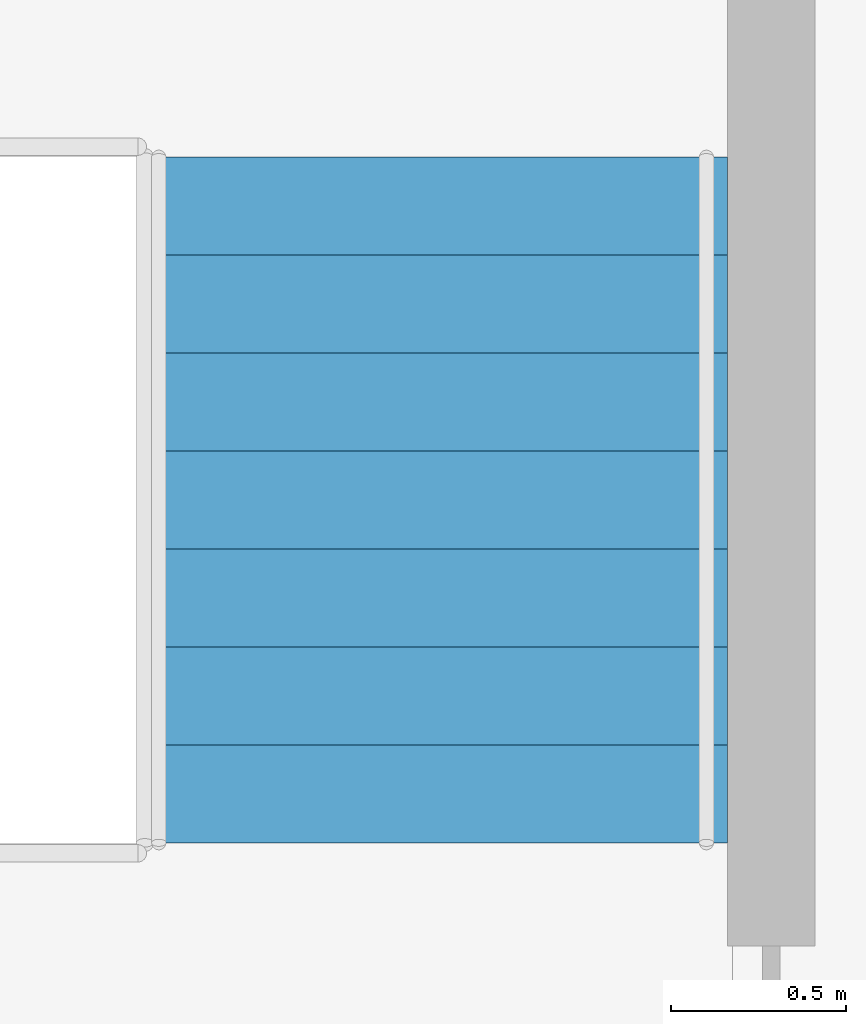
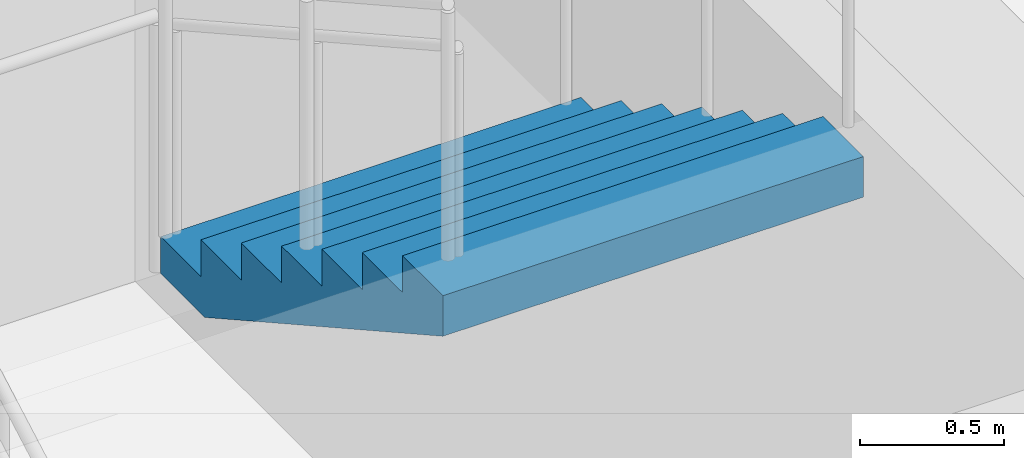
# One storey, part 35 of 37: 1 stair flight, 1 element without a shape of its own.
"""IFC4 building model written with IfcOpenShell, lengths in metres."""

from ifc_helpers import new_model, si_unit, direction, frame, origin, place, context, subcontext, project, spatial, triangles, material, type_object, element, aggregate, save


model = new_model("IFC4")

# Units and contexts
model_context = context("Model", 3, precision=1e-05, world=origin(), true_north=direction((0.0, 1.0)))
body_context = subcontext(model_context, "Body", "Model", "MODEL_VIEW")
ifc_project = project(units=[si_unit("LENGTHUNIT", "METRE"), si_unit("AREAUNIT", "SQUARE_METRE"), si_unit("VOLUMEUNIT", "CUBIC_METRE"), si_unit("PLANEANGLEUNIT", "RADIAN"), si_unit("MASSUNIT", "GRAM", prefix="KILO")], contexts=[model_context])

# Site, building, storey
site_placement = place(None, origin())
site = spatial("IfcSite", under=ifc_project, at=site_placement, CompositionType="ELEMENT")
building_placement = place(site_placement, origin())
building = spatial("IfcBuilding", under=site, at=building_placement, Name="Orbita Commons", CompositionType="ELEMENT")
storey_placement = place(building_placement, frame((0.0, 0.0, 6.0)))
storey = spatial("IfcBuildingStorey", under=building, at=storey_placement, Name="L01", CompositionType="ELEMENT", Elevation=6.0)

# Stair, stair flight
ifc_material_1 = material(Name="Precast concrete C40/50", Category="concrete")
stair_type = type_object("IfcStairType", Name="Podium exit stair 4 flights 8 risers 156", PredefinedType="HALF_TURN_STAIR", material=ifc_material_1)
stair_placement = place(storey_placement, origin())
stair = element("IfcStair", 1, at=stair_placement, inside=storey, type_object=stair_type, Name="Podium exit stair PS2 L01", PredefinedType="HALF_TURN_STAIR")
ifc_material_2 = material(Name="Precast concrete C40/50", Category="concrete")
stair_flight_type = type_object("IfcStairFlightType", Name="Podium stair flight 8 risers 156 x 1685", PredefinedType="STRAIGHT", material=ifc_material_2)
stair_flight_placement = place(storey_placement, frame((76.4326171875, 31.780029296875, 3.75), z_axis=(0.0, 0.0, 1.0), x_axis=(0.0, -1.0, 0.0)))
stair_flight = element("IfcStairFlight", 2, at=stair_flight_placement, type_object=stair_flight_type, Name="PS2 flight 4", NumberOfRisers=8, NumberOfTreads=7, PredefinedType="STRAIGHT", RiserHeight=0.15625, TreadLength=0.28, context=body_context, shape_type="Tessellation", body=[
    triangles([(0.0, 0.842529, 0.0), (0.0, 0.842529, 0.019531), (0.0, 0.702108, 0.019531), (0.0, 0.702108, 0.0), (0.0, 0.561686, 0.019531), (0.0, 0.561686, 0.0), (0.0, 0.421265, 0.019531), (0.0, 0.421265, 0.0), (0.0, 0.280843, 0.019531), (0.0, 0.280843, 0.0), (0.0, 0.140422, 0.019531), (0.0, 0.140422, 0.0), (0.0, 0.0, 0.019531), (0.0, 0.0, 0.0), (0.0, -0.140422, 0.019531), (0.0, -0.140422, 0.0), (0.0, -0.280843, 0.019531), (0.0, -0.280843, 0.0), (0.0, -0.421265, 0.019531), (0.0, -0.421265, 0.0), (0.0, -0.561686, 0.019531), (0.0, -0.561686, 0.0), (0.0, -0.702108, 0.019531), (0.0, -0.702108, 0.0), (0.0, -0.842529, 0.019531), (0.0, -0.842529, 0.0), (0.0, 0.842529, 0.039062), (0.0, 0.702108, 0.039062), (0.0, 0.561686, 0.039062), (0.0, 0.421265, 0.039062), (0.0, 0.280843, 0.039062), (0.0, 0.140422, 0.039062), (0.0, 0.0, 0.039062), (0.0, -0.140422, 0.039062), (0.0, -0.280843, 0.039062), (0.0, -0.421265, 0.039062), (0.0, -0.561686, 0.039062), (0.0, -0.702108, 0.039062), (0.0, -0.842529, 0.039062), (0.0, 0.842529, 0.058594), (0.0, 0.702108, 0.058594), (0.0, 0.561686, 0.058594), (0.0, 0.421265, 0.058594), (0.0, 0.280843, 0.058594), (0.0, 0.140422, 0.058594), (0.0, 0.0, 0.058594), (0.0, -0.140422, 0.058594), (0.0, -0.280843, 0.058594), (0.0, -0.421265, 0.058594), (0.0, -0.561686, 0.058594), (0.0, -0.702108, 0.058594), (0.0, -0.842529, 0.058594), (0.0, 0.842529, 0.078125), (0.0, 0.702108, 0.078125), (0.0, 0.561686, 0.078125), (0.0, 0.421265, 0.078125), (0.0, 0.280843, 0.078125), (0.0, 0.140422, 0.078125), (0.0, 0.0, 0.078125), (0.0, -0.140422, 0.078125), (0.0, -0.280843, 0.078125), (0.0, -0.421265, 0.078125), (0.0, -0.561686, 0.078125), (0.0, -0.702108, 0.078125), (0.0, -0.842529, 0.078125), (0.0, 0.842529, 0.097656), (0.0, 0.702108, 0.097656), (0.0, 0.561686, 0.097656), (0.0, 0.421265, 0.097656), (0.0, 0.280843, 0.097656), (0.0, 0.140422, 0.097656), (0.0, 0.0, 0.097656), (0.0, -0.140422, 0.097656), (0.0, -0.280843, 0.097656), (0.0, -0.421265, 0.097656), (0.0, -0.561686, 0.097656), (0.0, -0.702108, 0.097656), (0.0, -0.842529, 0.097656), (0.0, 0.842529, 0.117188), (0.0, 0.702108, 0.117188), (0.0, 0.561686, 0.117188), (0.0, 0.421265, 0.117188), (0.0, 0.280843, 0.117188), (0.0, 0.140422, 0.117188), (0.0, 0.0, 0.117188), (0.0, -0.140422, 0.117188), (0.0, -0.280843, 0.117188), (0.0, -0.421265, 0.117188), (0.0, -0.561686, 0.117188), (0.0, -0.702108, 0.117188), (0.0, -0.842529, 0.117188), (0.0, 0.842529, 0.136719), (0.0, 0.702108, 0.136719), (0.0, 0.561686, 0.136719), (0.0, 0.421265, 0.136719), (0.0, 0.280843, 0.136719), (0.0, 0.140422, 0.136719), (0.0, 0.0, 0.136719), (0.0, -0.140422, 0.136719), (0.0, -0.280843, 0.136719), (0.0, -0.421265, 0.136719), (0.0, -0.561686, 0.136719), (0.0, -0.702108, 0.136719), (0.0, -0.842529, 0.136719), (0.0, 0.842529, 0.15625), (0.0, 0.702108, 0.15625), (0.0, 0.561686, 0.15625), (0.0, 0.421265, 0.15625), (0.0, 0.280843, 0.15625), (0.0, 0.140422, 0.15625), (0.0, 0.0, 0.15625), (0.0, -0.140422, 0.15625), (0.0, -0.280843, 0.15625), (0.0, -0.421265, 0.15625), (0.0, -0.561686, 0.15625), (0.0, -0.702108, 0.15625), (0.0, -0.842529, 0.15625), (0.28, 0.842529, 0.15625), (0.28, 0.702108, 0.15625), (0.28, 0.561686, 0.15625), (0.28, 0.421265, 0.15625), (0.28, 0.280843, 0.15625), (0.28, 0.140422, 0.15625), (0.28, 0.0, 0.15625), (0.28, -0.140422, 0.15625), (0.28, -0.280843, 0.15625), (0.28, -0.421265, 0.15625), (0.28, -0.561686, 0.15625), (0.28, -0.702108, 0.15625), (0.28, -0.842529, 0.15625), (0.28, 0.842529, 0.3125), (0.28, 0.702108, 0.3125), (0.28, 0.561686, 0.3125), (0.28, 0.421265, 0.3125), (0.28, 0.280843, 0.3125), (0.28, 0.140422, 0.3125), (0.28, 0.0, 0.3125), (0.28, -0.140422, 0.3125), (0.28, -0.280843, 0.3125), (0.28, -0.421265, 0.3125), (0.28, -0.561686, 0.3125), (0.28, -0.702108, 0.3125), (0.28, -0.842529, 0.3125), (0.56, 0.842529, 0.3125), (0.56, 0.702108, 0.3125), (0.56, 0.561686, 0.3125), (0.56, 0.421265, 0.3125), (0.56, 0.280843, 0.3125), (0.56, 0.140422, 0.3125), (0.56, 0.0, 0.3125), (0.56, -0.140422, 0.3125), (0.56, -0.280843, 0.3125), (0.56, -0.421265, 0.3125), (0.56, -0.561686, 0.3125), (0.56, -0.702108, 0.3125), (0.56, -0.842529, 0.3125), (0.56, 0.842529, 0.46875), (0.56, 0.702108, 0.46875), (0.56, 0.561686, 0.46875), (0.56, 0.421265, 0.46875), (0.56, 0.280843, 0.46875), (0.56, 0.140422, 0.46875), (0.56, 0.0, 0.46875), (0.56, -0.140422, 0.46875), (0.56, -0.280843, 0.46875), (0.56, -0.421265, 0.46875), (0.56, -0.561686, 0.46875), (0.56, -0.702108, 0.46875), (0.56, -0.842529, 0.46875), (0.84, 0.842529, 0.46875), (0.84, 0.702108, 0.46875), (0.84, 0.561686, 0.46875), (0.84, 0.421265, 0.46875), (0.84, 0.280843, 0.46875), (0.84, 0.140422, 0.46875), (0.84, 0.0, 0.46875), (0.84, -0.140422, 0.46875), (0.84, -0.280843, 0.46875), (0.84, -0.421265, 0.46875), (0.84, -0.561686, 0.46875), (0.84, -0.702108, 0.46875), (0.84, -0.842529, 0.46875), (0.84, 0.842529, 0.625), (0.84, 0.702108, 0.625), (0.84, 0.561686, 0.625), (0.84, 0.421265, 0.625), (0.84, 0.280843, 0.625), (0.84, 0.140422, 0.625), (0.84, 0.0, 0.625), (0.84, -0.140422, 0.625), (0.84, -0.280843, 0.625), (0.84, -0.421265, 0.625), (0.84, -0.561686, 0.625), (0.84, -0.702108, 0.625), (0.84, -0.842529, 0.625), (1.12, 0.842529, 0.625), (1.12, 0.702108, 0.625), (1.12, 0.561686, 0.625), (1.12, 0.421265, 0.625), (1.12, 0.280843, 0.625), (1.12, 0.140422, 0.625), (1.12, 0.0, 0.625), (1.12, -0.140422, 0.625), (1.12, -0.280843, 0.625), (1.12, -0.421265, 0.625), (1.12, -0.561686, 0.625), (1.12, -0.702108, 0.625), (1.12, -0.842529, 0.625), (1.12, 0.842529, 0.78125), (1.12, 0.702108, 0.78125), (1.12, 0.561686, 0.78125), (1.12, 0.421265, 0.78125), (1.12, 0.280843, 0.78125), (1.12, 0.140422, 0.78125), (1.12, 0.0, 0.78125), (1.12, -0.140422, 0.78125), (1.12, -0.280843, 0.78125), (1.12, -0.421265, 0.78125), (1.12, -0.561686, 0.78125), (1.12, -0.702108, 0.78125), (1.12, -0.842529, 0.78125), (1.4, 0.842529, 0.78125), (1.4, 0.702108, 0.78125), (1.4, 0.561686, 0.78125), (1.4, 0.421265, 0.78125), (1.4, 0.280843, 0.78125), (1.4, 0.140422, 0.78125), (1.4, 0.0, 0.78125), (1.4, -0.140422, 0.78125), (1.4, -0.280843, 0.78125), (1.4, -0.421265, 0.78125), (1.4, -0.561686, 0.78125), (1.4, -0.702108, 0.78125), (1.4, -0.842529, 0.78125), (1.4, 0.842529, 0.9375), (1.4, 0.702108, 0.9375), (1.4, 0.561686, 0.9375), (1.4, 0.421265, 0.9375), (1.4, 0.280843, 0.9375), (1.4, 0.140422, 0.9375), (1.4, 0.0, 0.9375), (1.4, -0.140422, 0.9375), (1.4, -0.280843, 0.9375), (1.4, -0.421265, 0.9375), (1.4, -0.561686, 0.9375), (1.4, -0.702108, 0.9375), (1.4, -0.842529, 0.9375), (1.68, 0.842529, 0.9375), (1.68, 0.702108, 0.9375), (1.68, 0.561686, 0.9375), (1.68, 0.421265, 0.9375), (1.68, 0.280843, 0.9375), (1.68, 0.140422, 0.9375), (1.68, 0.0, 0.9375), (1.68, -0.140422, 0.9375), (1.68, -0.280843, 0.9375), (1.68, -0.421265, 0.9375), (1.68, -0.561686, 0.9375), (1.68, -0.702108, 0.9375), (1.68, -0.842529, 0.9375), (1.68, 0.842529, 1.09375), (1.68, 0.702108, 1.09375), (1.68, 0.561686, 1.09375), (1.68, 0.421265, 1.09375), (1.68, 0.280843, 1.09375), (1.68, 0.140422, 1.09375), (1.68, 0.0, 1.09375), (1.68, -0.140422, 1.09375), (1.68, -0.280843, 1.09375), (1.68, -0.421265, 1.09375), (1.68, -0.561686, 1.09375), (1.68, -0.702108, 1.09375), (1.68, -0.842529, 1.09375), (1.96, 0.842529, 1.09375), (1.96, 0.702108, 1.09375), (1.96, 0.561686, 1.09375), (1.96, 0.421265, 1.09375), (1.96, 0.280843, 1.09375), (1.96, 0.140422, 1.09375), (1.96, 0.0, 1.09375), (1.96, -0.140422, 1.09375), (1.96, -0.280843, 1.09375), (1.96, -0.421265, 1.09375), (1.96, -0.561686, 1.09375), (1.96, -0.702108, 1.09375), (1.96, -0.842529, 1.09375), (1.96, 0.842529, 1.072292), (1.96, 0.702108, 1.072292), (1.96, 0.561686, 1.072292), (1.96, 0.421265, 1.072292), (1.96, 0.280843, 1.072292), (1.96, 0.140422, 1.072292), (1.96, 0.0, 1.072292), (1.96, -0.140422, 1.072292), (1.96, -0.280843, 1.072292), (1.96, -0.421265, 1.072292), (1.96, -0.561686, 1.072292), (1.96, -0.702108, 1.072292), (1.96, -0.842529, 1.072292), (1.96, 0.842529, 1.050834), (1.96, 0.702108, 1.050834), (1.96, 0.561686, 1.050834), (1.96, 0.421265, 1.050834), (1.96, 0.280843, 1.050834), (1.96, 0.140422, 1.050834), (1.96, 0.0, 1.050834), (1.96, -0.140422, 1.050834), (1.96, -0.280843, 1.050834), (1.96, -0.421265, 1.050834), (1.96, -0.561686, 1.050834), (1.96, -0.702108, 1.050834), (1.96, -0.842529, 1.050834), (1.96, 0.842529, 1.029376), (1.96, 0.702108, 1.029376), (1.96, 0.561686, 1.029376), (1.96, 0.421265, 1.029376), (1.96, 0.280843, 1.029376), (1.96, 0.140422, 1.029376), (1.96, 0.0, 1.029376), (1.96, -0.140422, 1.029376), (1.96, -0.280843, 1.029376), (1.96, -0.421265, 1.029376), (1.96, -0.561686, 1.029376), (1.96, -0.702108, 1.029376), (1.96, -0.842529, 1.029376), (1.96, 0.842529, 1.007919), (1.96, 0.702108, 1.007919), (1.96, 0.561686, 1.007919), (1.96, 0.421265, 1.007919), (1.96, 0.280843, 1.007919), (1.96, 0.140422, 1.007919), (1.96, 0.0, 1.007919), (1.96, -0.140422, 1.007919), (1.96, -0.280843, 1.007919), (1.96, -0.421265, 1.007919), (1.96, -0.561686, 1.007919), (1.96, -0.702108, 1.007919), (1.96, -0.842529, 1.007919), (1.96, 0.842529, 0.986461), (1.96, 0.702108, 0.986461), (1.96, 0.561686, 0.986461), (1.96, 0.421265, 0.986461), (1.96, 0.280843, 0.986461), (1.96, 0.140422, 0.986461), (1.96, 0.0, 0.986461), (1.96, -0.140422, 0.986461), (1.96, -0.280843, 0.986461), (1.96, -0.421265, 0.986461), (1.96, -0.561686, 0.986461), (1.96, -0.702108, 0.986461), (1.96, -0.842529, 0.986461), (1.96, 0.842529, 0.965003), (1.96, 0.702108, 0.965003), (1.96, 0.561686, 0.965003), (1.96, 0.421265, 0.965003), (1.96, 0.280843, 0.965003), (1.96, 0.140422, 0.965003), (1.96, 0.0, 0.965003), (1.96, -0.140422, 0.965003), (1.96, -0.280843, 0.965003), (1.96, -0.421265, 0.965003), (1.96, -0.561686, 0.965003), (1.96, -0.702108, 0.965003), (1.96, -0.842529, 0.965003), (1.96, 0.842529, 0.943545), (1.96, 0.702108, 0.943545), (1.96, 0.561686, 0.943545), (1.96, 0.421265, 0.943545), (1.96, 0.280843, 0.943545), (1.96, 0.140422, 0.943545), (1.96, 0.0, 0.943545), (1.96, -0.140422, 0.943545), (1.96, -0.280843, 0.943545), (1.96, -0.421265, 0.943545), (1.96, -0.561686, 0.943545), (1.96, -0.702108, 0.943545), (1.96, -0.842529, 0.943545), (1.96, 0.842529, 0.922087), (1.96, 0.702108, 0.922087), (1.96, 0.561686, 0.922087), (1.96, 0.421265, 0.922087), (1.96, 0.280843, 0.922087), (1.96, 0.140422, 0.922087), (1.96, 0.0, 0.922087), (1.96, -0.140422, 0.922087), (1.96, -0.280843, 0.922087), (1.96, -0.421265, 0.922087), (1.96, -0.561686, 0.922087), (1.96, -0.702108, 0.922087), (1.96, -0.842529, 0.922087), (0.30762, 0.842529, 0.0), (0.30762, 0.702108, 0.0), (0.30762, 0.561686, 0.0), (0.30762, 0.421265, 0.0), (0.30762, 0.280843, 0.0), (0.30762, 0.140422, 0.0), (0.30762, 0.0, 0.0), (0.30762, -0.140422, 0.0), (0.30762, -0.280843, 0.0), (0.30762, -0.421265, 0.0), (0.30762, -0.561686, 0.0), (0.30762, -0.702108, 0.0), (0.30762, -0.842529, 0.0)], [[3, 2, 1], [4, 3, 1], [5, 3, 4], [6, 5, 4], [7, 5, 6], [8, 7, 6], [9, 7, 8], [10, 9, 8], [11, 9, 10], [12, 11, 10], [13, 11, 12], [14, 13, 12], [15, 13, 14], [16, 15, 14], [17, 15, 16], [18, 17, 16], [19, 17, 18], [20, 19, 18], [21, 19, 20], [22, 21, 20], [23, 21, 22], [24, 23, 22], [25, 23, 24], [26, 25, 24], [28, 27, 2], [3, 28, 2], [29, 28, 3], [5, 29, 3], [30, 29, 5], [7, 30, 5], [31, 30, 7], [9, 31, 7], [32, 31, 9], [11, 32, 9], [33, 32, 11], [13, 33, 11], [34, 33, 13], [15, 34, 13], [35, 34, 15], [17, 35, 15], [36, 35, 17], [19, 36, 17], [37, 36, 19], [21, 37, 19], [38, 37, 21], [23, 38, 21], [39, 38, 23], [25, 39, 23], [41, 40, 27], [28, 41, 27], [42, 41, 28], [29, 42, 28], [43, 42, 29], [30, 43, 29], [44, 43, 30], [31, 44, 30], [45, 44, 31], [32, 45, 31], [46, 45, 32], [33, 46, 32], [47, 46, 33], [34, 47, 33], [48, 47, 34], [35, 48, 34], [49, 48, 35], [36, 49, 35], [50, 49, 36], [37, 50, 36], [51, 50, 37], [38, 51, 37], [52, 51, 38], [39, 52, 38], [54, 53, 40], [41, 54, 40], [55, 54, 41], [42, 55, 41], [56, 55, 42], [43, 56, 42], [57, 56, 43], [44, 57, 43], [58, 57, 44], [45, 58, 44], [59, 58, 45], [46, 59, 45], [60, 59, 46], [47, 60, 46], [61, 60, 47], [48, 61, 47], [62, 61, 48], [49, 62, 48], [63, 62, 49], [50, 63, 49], [64, 63, 50], [51, 64, 50], [65, 64, 51], [52, 65, 51], [67, 66, 53], [54, 67, 53], [68, 67, 54], [55, 68, 54], [69, 68, 55], [56, 69, 55], [70, 69, 56], [57, 70, 56], [71, 70, 57], [58, 71, 57], [72, 71, 58], [59, 72, 58], [73, 72, 59], [60, 73, 59], [74, 73, 60], [61, 74, 60], [75, 74, 61], [62, 75, 61], [76, 75, 62], [63, 76, 62], [77, 76, 63], [64, 77, 63], [78, 77, 64], [65, 78, 64], [80, 79, 66], [67, 80, 66], [81, 80, 67], [68, 81, 67], [82, 81, 68], [69, 82, 68], [83, 82, 69], [70, 83, 69], [84, 83, 70], [71, 84, 70], [85, 84, 71], [72, 85, 71], [86, 85, 72], [73, 86, 72], [87, 86, 73], [74, 87, 73], [88, 87, 74], [75, 88, 74], [89, 88, 75], [76, 89, 75], [90, 89, 76], [77, 90, 76], [91, 90, 77], [78, 91, 77], [93, 92, 79], [80, 93, 79], [94, 93, 80], [81, 94, 80], [95, 94, 81], [82, 95, 81], [96, 95, 82], [83, 96, 82], [97, 96, 83], [84, 97, 83], [98, 97, 84], [85, 98, 84], [99, 98, 85], [86, 99, 85], [100, 99, 86], [87, 100, 86], [101, 100, 87], [88, 101, 87], [102, 101, 88], [89, 102, 88], [103, 102, 89], [90, 103, 89], [104, 103, 90], [91, 104, 90], [106, 105, 92], [93, 106, 92], [107, 106, 93], [94, 107, 93], [108, 107, 94], [95, 108, 94], [109, 108, 95], [96, 109, 95], [110, 109, 96], [97, 110, 96], [111, 110, 97], [98, 111, 97], [112, 111, 98], [99, 112, 98], [113, 112, 99], [100, 113, 99], [114, 113, 100], [101, 114, 100], [115, 114, 101], [102, 115, 101], [116, 115, 102], [103, 116, 102], [117, 116, 103], [104, 117, 103], [119, 118, 105], [106, 119, 105], [120, 119, 106], [107, 120, 106], [121, 120, 107], [108, 121, 107], [122, 121, 108], [109, 122, 108], [123, 122, 109], [110, 123, 109], [124, 123, 110], [111, 124, 110], [125, 124, 111], [112, 125, 111], [126, 125, 112], [113, 126, 112], [127, 126, 113], [114, 127, 113], [128, 127, 114], [115, 128, 114], [129, 128, 115], [116, 129, 115], [130, 129, 116], [117, 130, 116], [132, 131, 118], [119, 132, 118], [133, 132, 119], [120, 133, 119], [134, 133, 120], [121, 134, 120], [135, 134, 121], [122, 135, 121], [136, 135, 122], [123, 136, 122], [137, 136, 123], [124, 137, 123], [138, 137, 124], [125, 138, 124], [139, 138, 125], [126, 139, 125], [140, 139, 126], [127, 140, 126], [141, 140, 127], [128, 141, 127], [142, 141, 128], [129, 142, 128], [143, 142, 129], [130, 143, 129], [145, 144, 131], [132, 145, 131], [146, 145, 132], [133, 146, 132], [147, 146, 133], [134, 147, 133], [148, 147, 134], [135, 148, 134], [149, 148, 135], [136, 149, 135], [150, 149, 136], [137, 150, 136], [151, 150, 137], [138, 151, 137], [152, 151, 138], [139, 152, 138], [153, 152, 139], [140, 153, 139], [154, 153, 140], [141, 154, 140], [155, 154, 141], [142, 155, 141], [156, 155, 142], [143, 156, 142], [158, 157, 144], [145, 158, 144], [159, 158, 145], [146, 159, 145], [160, 159, 146], [147, 160, 146], [161, 160, 147], [148, 161, 147], [162, 161, 148], [149, 162, 148], [163, 162, 149], [150, 163, 149], [164, 163, 150], [151, 164, 150], [165, 164, 151], [152, 165, 151], [166, 165, 152], [153, 166, 152], [167, 166, 153], [154, 167, 153], [168, 167, 154], [155, 168, 154], [169, 168, 155], [156, 169, 155], [171, 170, 157], [158, 171, 157], [172, 171, 158], [159, 172, 158], [173, 172, 159], [160, 173, 159], [174, 173, 160], [161, 174, 160], [175, 174, 161], [162, 175, 161], [176, 175, 162], [163, 176, 162], [177, 176, 163], [164, 177, 163], [178, 177, 164], [165, 178, 164], [179, 178, 165], [166, 179, 165], [180, 179, 166], [167, 180, 166], [181, 180, 167], [168, 181, 167], [182, 181, 168], [169, 182, 168], [184, 183, 170], [171, 184, 170], [185, 184, 171], [172, 185, 171], [186, 185, 172], [173, 186, 172], [187, 186, 173], [174, 187, 173], [188, 187, 174], [175, 188, 174], [189, 188, 175], [176, 189, 175], [190, 189, 176], [177, 190, 176], [191, 190, 177], [178, 191, 177], [192, 191, 178], [179, 192, 178], [193, 192, 179], [180, 193, 179], [194, 193, 180], [181, 194, 180], [195, 194, 181], [182, 195, 181], [197, 196, 183], [184, 197, 183], [198, 197, 184], [185, 198, 184], [199, 198, 185], [186, 199, 185], [200, 199, 186], [187, 200, 186], [201, 200, 187], [188, 201, 187], [202, 201, 188], [189, 202, 188], [203, 202, 189], [190, 203, 189], [204, 203, 190], [191, 204, 190], [205, 204, 191], [192, 205, 191], [206, 205, 192], [193, 206, 192], [207, 206, 193], [194, 207, 193], [208, 207, 194], [195, 208, 194], [210, 209, 196], [197, 210, 196], [211, 210, 197], [198, 211, 197], [212, 211, 198], [199, 212, 198], [213, 212, 199], [200, 213, 199], [214, 213, 200], [201, 214, 200], [215, 214, 201], [202, 215, 201], [216, 215, 202], [203, 216, 202], [217, 216, 203], [204, 217, 203], [218, 217, 204], [205, 218, 204], [219, 218, 205], [206, 219, 205], [220, 219, 206], [207, 220, 206], [221, 220, 207], [208, 221, 207], [223, 222, 209], [210, 223, 209], [224, 223, 210], [211, 224, 210], [225, 224, 211], [212, 225, 211], [226, 225, 212], [213, 226, 212], [227, 226, 213], [214, 227, 213], [228, 227, 214], [215, 228, 214], [229, 228, 215], [216, 229, 215], [230, 229, 216], [217, 230, 216], [231, 230, 217], [218, 231, 217], [232, 231, 218], [219, 232, 218], [233, 232, 219], [220, 233, 219], [234, 233, 220], [221, 234, 220], [236, 235, 222], [223, 236, 222], [237, 236, 223], [224, 237, 223], [238, 237, 224], [225, 238, 224], [239, 238, 225], [226, 239, 225], [240, 239, 226], [227, 240, 226], [241, 240, 227], [228, 241, 227], [242, 241, 228], [229, 242, 228], [243, 242, 229], [230, 243, 229], [244, 243, 230], [231, 244, 230], [245, 244, 231], [232, 245, 231], [246, 245, 232], [233, 246, 232], [247, 246, 233], [234, 247, 233], [249, 248, 235], [236, 249, 235], [250, 249, 236], [237, 250, 236], [251, 250, 237], [238, 251, 237], [252, 251, 238], [239, 252, 238], [253, 252, 239], [240, 253, 239], [254, 253, 240], [241, 254, 240], [255, 254, 241], [242, 255, 241], [256, 255, 242], [243, 256, 242], [257, 256, 243], [244, 257, 243], [258, 257, 244], [245, 258, 244], [259, 258, 245], [246, 259, 245], [260, 259, 246], [247, 260, 246], [262, 261, 248], [249, 262, 248], [263, 262, 249], [250, 263, 249], [264, 263, 250], [251, 264, 250], [265, 264, 251], [252, 265, 251], [266, 265, 252], [253, 266, 252], [267, 266, 253], [254, 267, 253], [268, 267, 254], [255, 268, 254], [269, 268, 255], [256, 269, 255], [270, 269, 256], [257, 270, 256], [271, 270, 257], [258, 271, 257], [272, 271, 258], [259, 272, 258], [273, 272, 259], [260, 273, 259], [275, 274, 261], [262, 275, 261], [276, 275, 262], [263, 276, 262], [277, 276, 263], [264, 277, 263], [278, 277, 264], [265, 278, 264], [279, 278, 265], [266, 279, 265], [280, 279, 266], [267, 280, 266], [281, 280, 267], [268, 281, 267], [282, 281, 268], [269, 282, 268], [283, 282, 269], [270, 283, 269], [284, 283, 270], [271, 284, 270], [285, 284, 271], [272, 285, 271], [286, 285, 272], [273, 286, 272], [288, 287, 274], [275, 288, 274], [289, 288, 275], [276, 289, 275], [290, 289, 276], [277, 290, 276], [291, 290, 277], [278, 291, 277], [292, 291, 278], [279, 292, 278], [293, 292, 279], [280, 293, 279], [294, 293, 280], [281, 294, 280], [295, 294, 281], [282, 295, 281], [296, 295, 282], [283, 296, 282], [297, 296, 283], [284, 297, 283], [298, 297, 284], [285, 298, 284], [299, 298, 285], [286, 299, 285], [301, 300, 287], [288, 301, 287], [302, 301, 288], [289, 302, 288], [303, 302, 289], [290, 303, 289], [304, 303, 290], [291, 304, 290], [305, 304, 291], [292, 305, 291], [306, 305, 292], [293, 306, 292], [307, 306, 293], [294, 307, 293], [308, 307, 294], [295, 308, 294], [309, 308, 295], [296, 309, 295], [310, 309, 296], [297, 310, 296], [311, 310, 297], [298, 311, 297], [312, 311, 298], [299, 312, 298], [314, 313, 300], [301, 314, 300], [315, 314, 301], [302, 315, 301], [316, 315, 302], [303, 316, 302], [317, 316, 303], [304, 317, 303], [318, 317, 304], [305, 318, 304], [319, 318, 305], [306, 319, 305], [320, 319, 306], [307, 320, 306], [321, 320, 307], [308, 321, 307], [322, 321, 308], [309, 322, 308], [323, 322, 309], [310, 323, 309], [324, 323, 310], [311, 324, 310], [325, 324, 311], [312, 325, 311], [327, 326, 313], [314, 327, 313], [328, 327, 314], [315, 328, 314], [329, 328, 315], [316, 329, 315], [330, 329, 316], [317, 330, 316], [331, 330, 317], [318, 331, 317], [332, 331, 318], [319, 332, 318], [333, 332, 319], [320, 333, 319], [334, 333, 320], [321, 334, 320], [335, 334, 321], [322, 335, 321], [336, 335, 322], [323, 336, 322], [337, 336, 323], [324, 337, 323], [338, 337, 324], [325, 338, 324], [340, 339, 326], [327, 340, 326], [341, 340, 327], [328, 341, 327], [342, 341, 328], [329, 342, 328], [343, 342, 329], [330, 343, 329], [344, 343, 330], [331, 344, 330], [345, 344, 331], [332, 345, 331], [346, 345, 332], [333, 346, 332], [347, 346, 333], [334, 347, 333], [348, 347, 334], [335, 348, 334], [349, 348, 335], [336, 349, 335], [350, 349, 336], [337, 350, 336], [351, 350, 337], [338, 351, 337], [353, 352, 339], [340, 353, 339], [354, 353, 340], [341, 354, 340], [355, 354, 341], [342, 355, 341], [356, 355, 342], [343, 356, 342], [357, 356, 343], [344, 357, 343], [358, 357, 344], [345, 358, 344], [359, 358, 345], [346, 359, 345], [360, 359, 346], [347, 360, 346], [361, 360, 347], [348, 361, 347], [362, 361, 348], [349, 362, 348], [363, 362, 349], [350, 363, 349], [364, 363, 350], [351, 364, 350], [366, 365, 352], [353, 366, 352], [367, 366, 353], [354, 367, 353], [368, 367, 354], [355, 368, 354], [369, 368, 355], [356, 369, 355], [370, 369, 356], [357, 370, 356], [371, 370, 357], [358, 371, 357], [372, 371, 358], [359, 372, 358], [373, 372, 359], [360, 373, 359], [374, 373, 360], [361, 374, 360], [375, 374, 361], [362, 375, 361], [376, 375, 362], [363, 376, 362], [377, 376, 363], [364, 377, 363], [379, 378, 365], [366, 379, 365], [380, 379, 366], [367, 380, 366], [381, 380, 367], [368, 381, 367], [382, 381, 368], [369, 382, 368], [383, 382, 369], [370, 383, 369], [384, 383, 370], [371, 384, 370], [385, 384, 371], [372, 385, 371], [386, 385, 372], [373, 386, 372], [387, 386, 373], [374, 387, 373], [388, 387, 374], [375, 388, 374], [389, 388, 375], [376, 389, 375], [390, 389, 376], [377, 390, 376], [392, 391, 378], [379, 392, 378], [393, 392, 379], [380, 393, 379], [394, 393, 380], [381, 394, 380], [395, 394, 381], [382, 395, 381], [396, 395, 382], [383, 396, 382], [397, 396, 383], [384, 397, 383], [398, 397, 384], [385, 398, 384], [399, 398, 385], [386, 399, 385], [400, 399, 386], [387, 400, 386], [401, 400, 387], [388, 401, 387], [402, 401, 388], [389, 402, 388], [403, 402, 389], [390, 403, 389], [4, 1, 391], [392, 4, 391], [6, 4, 392], [393, 6, 392], [8, 6, 393], [394, 8, 393], [10, 8, 394], [395, 10, 394], [12, 10, 395], [396, 12, 395], [14, 12, 396], [397, 14, 396], [16, 14, 397], [398, 16, 397], [18, 16, 398], [399, 18, 398], [20, 18, 399], [400, 20, 399], [22, 20, 400], [401, 22, 400], [24, 22, 401], [402, 24, 401], [26, 24, 402], [403, 26, 402], [378, 391, 1], [26, 403, 390], [365, 378, 1], [26, 390, 377], [352, 365, 1], [26, 377, 364], [339, 352, 1], [26, 364, 351], [326, 339, 1], [26, 351, 338], [313, 326, 1], [26, 338, 325], [300, 313, 1], [26, 325, 312], [287, 300, 1], [26, 312, 299], [261, 274, 287], [299, 286, 273], [248, 261, 287], [299, 273, 260], [222, 235, 248], [260, 247, 234], [222, 248, 287], [299, 260, 234], [196, 209, 222], [234, 221, 208], [196, 222, 287], [299, 234, 208], [170, 183, 196], [208, 195, 182], [170, 196, 287], [299, 208, 182], [144, 157, 170], [182, 169, 156], [144, 170, 287], [299, 182, 156], [118, 131, 144], [156, 143, 130], [118, 144, 287], [299, 156, 130], [118, 287, 1], [26, 299, 130], [92, 105, 118], [130, 117, 104], [79, 92, 118], [130, 104, 91], [66, 79, 118], [130, 91, 78], [53, 66, 118], [130, 78, 65], [40, 53, 118], [130, 65, 52], [27, 40, 118], [130, 52, 39], [2, 27, 118], [130, 39, 25], [1, 2, 118], [130, 25, 26]], closed=True),
])
aggregate(stair, [stair_flight])

save(model, "model.ifc")
